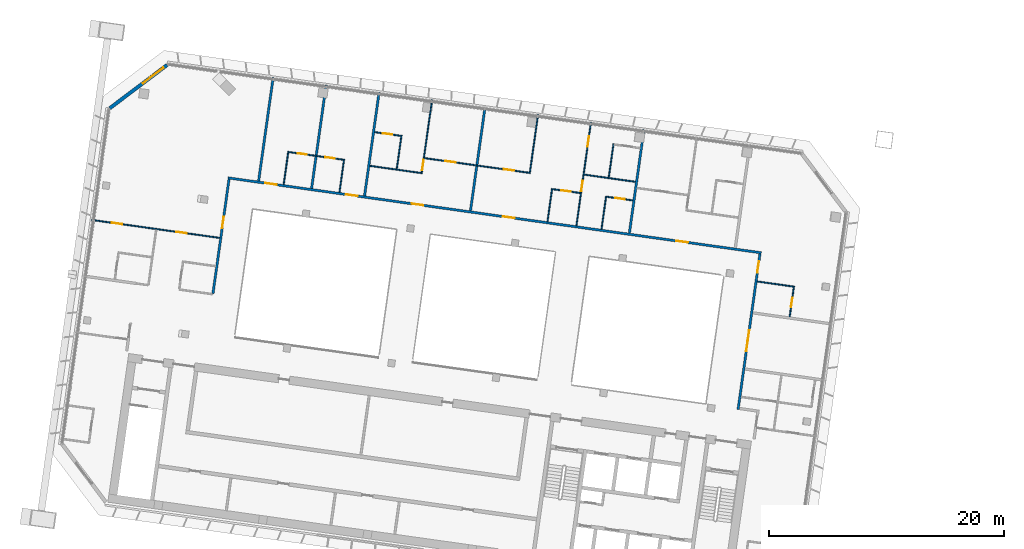
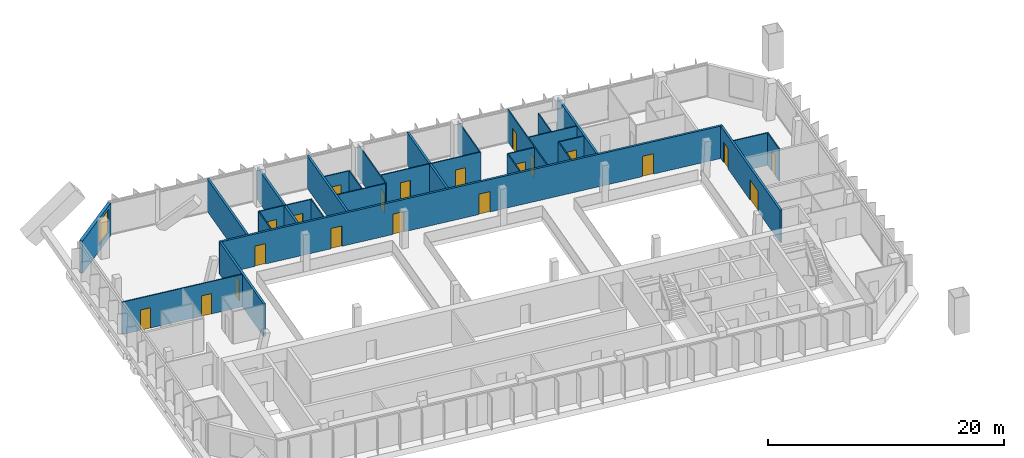
# One storey, part 19 of 32: 28 walls, 21 doors, 1 window, 22 openings.
"""IFC4 building model written with IfcOpenShell, lengths in metres."""

import ifcopenshell
import ifcopenshell.guid

model = None  # the IFC model being written
_history = None  # IfcOwnerHistory: only IFC2X3 demands one
_inside = {}  # id of a spatial element -> (the spatial element, [elements in it])
_under = {}  # id of a project, library or spatial element -> (it, [spatial elements below it])
_declared = {}  # id of a project -> (the project, [libraries it declares])
_typed = {}  # id of a type object -> (the type object, [elements of that type])
_made_of = {}  # id of a material, layer set ... -> (it, [elements and type objects made of it])


def new_model(schema):
    """Start an empty IFC model of exactly this schema.

    Asked for "IFC4X3", IfcOpenShell would pick the latest addendum, in which some entities
    have other attributes; the version numbers below select the first issue.
    IFC2X3 requires an IfcOwnerHistory on every rooted entity: one is made here for all.
    """
    global model, _history
    if schema == "IFC4X3":
        model = ifcopenshell.file(schema_version=(4, 3, 0, 0))
    else:
        model = ifcopenshell.file(schema=schema)
    _inside.clear()
    _under.clear()
    _declared.clear()
    _typed.clear()
    _made_of.clear()
    _history = None
    if model.schema == "IFC2X3":
        org = make("IfcOrganization", Name="unknown")
        user = make(
            "IfcPersonAndOrganization",
            ThePerson=make("IfcPerson", FamilyName="unknown"),
            TheOrganization=org,
        )
        app = make(
            "IfcApplication",
            ApplicationDeveloper=org,
            Version="unknown",
            ApplicationFullName="unknown",
            ApplicationIdentifier="unknown",
        )
        _history = make(
            "IfcOwnerHistory",
            OwningUser=user,
            OwningApplication=app,
            ChangeAction="ADDED",
            CreationDate=0,
        )
    return model


def make(cls, **values):
    """One entity of the class cls with the attributes given. An attribute that is None is left unset."""
    return model.create_entity(
        cls, **{name: value for name, value in values.items() if value is not None}
    )


def rooted(cls, **values):
    """An entity with a GlobalId (a new one), such as an element, a storey or a relation."""
    return make(cls, GlobalId=ifcopenshell.guid.new(), OwnerHistory=_history, **values)


def si_unit(unit_type, name, prefix=None):
    """IfcSIUnit, for example si_unit("LENGTHUNIT", "METRE", prefix="MILLI")."""
    return make("IfcSIUnit", UnitType=unit_type, Prefix=prefix, Name=name)


def assignment(units):
    """IfcUnitAssignment: the units of a project."""
    return None if units is None else make("IfcUnitAssignment", Units=units)


def point(xyz):
    """IfcCartesianPoint."""
    return None if xyz is None else make("IfcCartesianPoint", Coordinates=xyz)


def direction(xyz):
    """IfcDirection."""
    return None if xyz is None else make("IfcDirection", DirectionRatios=xyz)


def frame(location, z_axis=None, x_axis=None):
    """IfcAxis2Placement3D, a coordinate frame: its origin and axes. An axis left out is left unset."""
    return make(
        "IfcAxis2Placement3D",
        Location=point(location),
        Axis=direction(z_axis),
        RefDirection=direction(x_axis),
    )


def frame_2d(location, x_axis=None):
    """IfcAxis2Placement2D, a coordinate frame in the plane: its origin and x axis."""
    return make(
        "IfcAxis2Placement2D", Location=point(location), RefDirection=direction(x_axis)
    )


def origin():
    """The frame at (0, 0, 0) with its axes left unset."""
    return frame((0.0, 0.0, 0.0))


def place(relative_to, where):
    """IfcLocalPlacement: puts the frame where relative to a parent placement (None: the world)."""
    return make(
        "IfcLocalPlacement", PlacementRelTo=relative_to, RelativePlacement=where
    )


def context(
    kind, dimensions, precision=None, world=None, true_north=None, identifier=None
):
    """IfcGeometricRepresentationContext, for example the 3D "Model" context."""
    return make(
        "IfcGeometricRepresentationContext",
        ContextIdentifier=identifier,
        ContextType=kind,
        CoordinateSpaceDimension=dimensions,
        Precision=precision,
        WorldCoordinateSystem=world,
        TrueNorth=true_north,
    )


def subcontext(parent, identifier, kind, view, scale=None):
    """IfcGeometricRepresentationSubContext, for example "Body" below "Model"."""
    return make(
        "IfcGeometricRepresentationSubContext",
        ContextIdentifier=identifier,
        ContextType=kind,
        ParentContext=parent,
        TargetScale=scale,
        TargetView=view,
    )


def project(units=None, contexts=None):
    """IfcProject with its units and contexts."""
    return rooted(
        "IfcProject",
        Name="project",
        RepresentationContexts=contexts,
        UnitsInContext=assignment(units),
    )


def spatial(cls, under=None, at=None, **own):
    """A site, building, storey or space (cls), placed at a placement, below another one or the project."""
    s = rooted(cls, ObjectPlacement=at, **own)
    if under is not None:
        _under.setdefault(under.id(), (under, []))[1].append(s)
    return s


def profile(cls, at=None, kind="AREA", **sizes):
    """A parametric profile (cls). Its sizes go by their IFC names, for example OverallWidth=200.0."""
    return make(cls, ProfileType=kind, Position=at, **sizes)


def rectangle(**sizes):
    """IfcRectangleProfileDef."""
    return profile("IfcRectangleProfileDef", **sizes)


def extrude(swept, where, along, depth):
    """IfcExtrudedAreaSolid: the profile swept, set in the frame where, extruded along a direction by depth."""
    return make(
        "IfcExtrudedAreaSolid",
        SweptArea=swept,
        Position=where,
        ExtrudedDirection=direction(along),
        Depth=depth,
    )


def shape(context_of_items, identifier, shape_type, items):
    """IfcShapeRepresentation: the items that make up one representation, for example the "Body"."""
    return make(
        "IfcShapeRepresentation",
        ContextOfItems=context_of_items,
        RepresentationIdentifier=identifier,
        RepresentationType=shape_type,
        Items=items,
    )


def material(Name=None, Category=None):
    """IfcMaterial."""
    return make("IfcMaterial", Name=Name, Category=Category)


def layer(
    of_material, thickness, ventilated=None, Name=None, Category=None, Priority=None
):
    """IfcMaterialLayer: one layer of a wall or slab, of a material (None: an air gap)."""
    return make(
        "IfcMaterialLayer",
        Material=of_material,
        LayerThickness=thickness,
        IsVentilated=ventilated,
        Name=Name,
        Category=Category,
        Priority=Priority,
    )


def layer_set(layers, Name=None):
    """IfcMaterialLayerSet."""
    return make("IfcMaterialLayerSet", MaterialLayers=layers, LayerSetName=Name)


def made_of(thing, what):
    """Note that an element or type object is made of a material, layer set ...; save() writes the relation."""
    if what is not None:
        _made_of.setdefault(what.id(), (what, []))[1].append(thing)
    return thing


def type_object(cls, material=None, **own):
    """A type object (cls), such as IfcWallType, which elements share."""
    return made_of(rooted(cls, **own), material)


def element(
    cls,
    number,
    at=None,
    inside=None,
    cuts=None,
    type_object=None,
    material=None,
    context=None,
    identifier="Body",
    shape_type=None,
    held_by="IfcProductDefinitionShape",
    body=None,
    shapes=None,
    **own,
):
    """One element of the class cls, such as IfcWall. Its Tag is "e" and its number.

    at: its placement. inside: the storey or other place that contains it. cuts: it is an
    opening in that element (IfcRelVoidsElement). A single representation is given by context,
    identifier, shape_type and body (its items); several are given by shapes. held_by: the class
    of the entity that holds the representations. save() writes the other relations.
    """
    e = rooted(cls, Tag="e%d" % number, ObjectPlacement=at, **own)
    if body is not None:
        shapes = [shape(context, identifier, shape_type, body)]
    if shapes is not None:
        e.Representation = make(held_by, Representations=shapes)
    if inside is not None:
        _inside.setdefault(inside.id(), (inside, []))[1].append(e)
    if cuts is not None:
        rooted(
            "IfcRelVoidsElement", RelatingBuildingElement=cuts, RelatedOpeningElement=e
        )
    if type_object is not None:
        _typed.setdefault(type_object.id(), (type_object, []))[1].append(e)
    return made_of(e, material)


def fill(opening, filler):
    """IfcRelFillsElement: the door or window that sits in an opening."""
    return rooted(
        "IfcRelFillsElement",
        RelatingOpeningElement=opening,
        RelatedBuildingElement=filler,
    )


def aggregate(whole, parts):
    """IfcRelAggregates: a whole, such as a stair, and the parts it consists of."""
    return rooted("IfcRelAggregates", RelatingObject=whole, RelatedObjects=parts)


def save(model, path):
    """Write the relations noted so far, then the file.

    IfcRelAggregates (storeys below a building ...), IfcRelContainedInSpatialStructure (elements
    in a storey), IfcRelDefinesByType, IfcRelAssociatesMaterial and IfcRelDeclares: one each for
    every whole, place, type object, material and project.
    """
    for whole, parts in _under.values():
        aggregate(whole, parts)
    for where, things in _inside.values():
        rooted(
            "IfcRelContainedInSpatialStructure",
            RelatedElements=things,
            RelatingStructure=where,
        )
    for kind, things in _typed.values():
        rooted("IfcRelDefinesByType", RelatedObjects=things, RelatingType=kind)
    for what, things in _made_of.values():
        rooted("IfcRelAssociatesMaterial", RelatedObjects=things, RelatingMaterial=what)
    for by, libraries in _declared.values():
        rooted("IfcRelDeclares", RelatingContext=by, RelatedDefinitions=libraries)
    model.write(path)


model = new_model("IFC4")

# Units and contexts
model_context = context("Model", 3, precision=1e-05, world=origin(), true_north=direction((0.0, 1.0)))
body_context = subcontext(model_context, "Body", "Model", "MODEL_VIEW")
ifc_project = project(units=[si_unit("LENGTHUNIT", "METRE"), si_unit("AREAUNIT", "SQUARE_METRE"), si_unit("VOLUMEUNIT", "CUBIC_METRE"), si_unit("PLANEANGLEUNIT", "RADIAN"), si_unit("MASSUNIT", "GRAM", prefix="KILO")], contexts=[model_context])

# Site, building, storey
site_placement = place(None, origin())
site = spatial("IfcSite", under=ifc_project, at=site_placement, CompositionType="ELEMENT")
building_placement = place(site_placement, origin())
building = spatial("IfcBuilding", under=site, at=building_placement, Name="Mirante Cascada Hotel Towers", CompositionType="ELEMENT")
storey_placement = place(building_placement, frame((0.0, 0.0, 176.4)))
storey = spatial("IfcBuildingStorey", under=building, at=storey_placement, Name="L41", CompositionType="ELEMENT", Elevation=176.4)

# Wall, openings, doors
ifc_material_1 = material(Name="Fire-rated plasterboard on metal studs")
ifc_layer_1 = layer(ifc_material_1, 0.2)
ifc_layer_set_1 = layer_set([ifc_layer_1], Name="Compartment wall 200 EI 120")
wall_type_1 = type_object("IfcWallType", Name="Compartment wall 200 EI 120", PredefinedType="PARTITIONING", material=ifc_layer_set_1)
wall_1_placement = place(storey_placement, frame((-80.1022, 15.1397, 0.0), z_axis=(0.0, 0.0, 1.0), x_axis=(0.9902679, -0.1391743, 0.0)))
wall_1 = element("IfcWall", 1, at=wall_1_placement, inside=storey, type_object=wall_type_1, Name="Wall 1-L41-17", PredefinedType="PARTITIONING", context=body_context, shape_type="SweptSolid", body=[
    extrude(rectangle(XDim=45.9, YDim=0.2, at=frame_2d((22.95, 0.0))), origin(), (0.0, 0.0, 1.0), 3.35),
])
opening_1_placement = place(wall_1_placement, frame((38.5918, 0.0, 0.0)))
opening_1 = element("IfcOpeningElement", 2, at=opening_1_placement, cuts=wall_1, Name="Opening D1-L41-08", PredefinedType="OPENING", context=body_context, shape_type="SweptSolid", body=[
    extrude(rectangle(XDim=1.0, YDim=2.1, at=frame_2d((0.5, 1.05))), frame((0.0, 0.1, 0.0), z_axis=(0.0, -1.0, 0.0), x_axis=(1.0, 0.0, 0.0)), (0.0, 0.0, 1.0), 0.2),
])
opening_2_placement = place(wall_1_placement, frame((23.6687, 0.0, 0.0)))
opening_2 = element("IfcOpeningElement", 3, at=opening_2_placement, cuts=wall_1, Name="Opening D1-L41-09", PredefinedType="OPENING", context=body_context, shape_type="SweptSolid", body=[
    extrude(rectangle(XDim=1.0, YDim=2.1, at=frame_2d((0.5, 1.05))), frame((0.0, 0.1, 0.0), z_axis=(0.0, -1.0, 0.0), x_axis=(1.0, 0.0, 0.0)), (0.0, 0.0, 1.0), 0.2),
])
opening_3_placement = place(wall_1_placement, frame((15.7959, 0.0, 0.0)))
opening_3 = element("IfcOpeningElement", 4, at=opening_3_placement, cuts=wall_1, Name="Opening D1-L41-10", PredefinedType="OPENING", context=body_context, shape_type="SweptSolid", body=[
    extrude(rectangle(XDim=1.0, YDim=2.1, at=frame_2d((0.5, 1.05))), frame((0.0, 0.1, 0.0), z_axis=(0.0, -1.0, 0.0), x_axis=(1.0, 0.0, 0.0)), (0.0, 0.0, 1.0), 0.2),
])
opening_4_placement = place(wall_1_placement, frame((10.1571, 0.0, 0.0)))
opening_4 = element("IfcOpeningElement", 5, at=opening_4_placement, cuts=wall_1, Name="Opening D1-L41-11", PredefinedType="OPENING", context=body_context, shape_type="SweptSolid", body=[
    extrude(rectangle(XDim=1.0, YDim=2.1, at=frame_2d((0.5, 1.05))), frame((0.0, 0.1, 0.0), z_axis=(0.0, -1.0, 0.0), x_axis=(1.0, 0.0, 0.0)), (0.0, 0.0, 1.0), 0.2),
])
opening_5_placement = place(wall_1_placement, frame((3.198, 0.0, 0.0)))
opening_5 = element("IfcOpeningElement", 6, at=opening_5_placement, cuts=wall_1, Name="Opening D1-L41-12", PredefinedType="OPENING", context=body_context, shape_type="SweptSolid", body=[
    extrude(rectangle(XDim=1.0, YDim=2.1, at=frame_2d((0.5, 1.05))), frame((0.0, 0.1, 0.0), z_axis=(0.0, -1.0, 0.0), x_axis=(1.0, 0.0, 0.0)), (0.0, 0.0, 1.0), 0.2),
])
ifc_material_2 = material(Name="Fire-rated timber door leaf", Category="wood")
door_type_1 = type_object("IfcDoorType", Name="Entrance door DG1 1000x2100 EI 60", OperationType="SINGLE_SWING_LEFT", PredefinedType="DOOR", material=ifc_material_2)
door_1_placement = place(opening_1_placement, origin())
door_1 = element("IfcDoor", 7, at=door_1_placement, inside=storey, type_object=door_type_1, Name="Door D1-L41-08", OperationType="SINGLE_SWING_LEFT", OverallHeight=2.1, OverallWidth=1.0, PredefinedType="DOOR", context=body_context, shape_type="SweptSolid", body=[
    extrude(rectangle(XDim=1.0, YDim=2.1, at=frame_2d((0.5, 1.05))), frame((0.0, 0.025, 0.0), z_axis=(0.0, -1.0, 0.0), x_axis=(1.0, 0.0, 0.0)), (0.0, 0.0, 1.0), 0.05),
])
fill(opening_1, door_1)
door_2_placement = place(opening_2_placement, origin())
door_2 = element("IfcDoor", 8, at=door_2_placement, inside=storey, type_object=door_type_1, Name="Door D1-L41-09", OperationType="SINGLE_SWING_LEFT", OverallHeight=2.1, OverallWidth=1.0, PredefinedType="DOOR", context=body_context, shape_type="SweptSolid", body=[
    extrude(rectangle(XDim=1.0, YDim=2.1, at=frame_2d((0.5, 1.05))), frame((0.0, 0.025, 0.0), z_axis=(0.0, -1.0, 0.0), x_axis=(1.0, 0.0, 0.0)), (0.0, 0.0, 1.0), 0.05),
])
fill(opening_2, door_2)
door_3_placement = place(opening_3_placement, origin())
door_3 = element("IfcDoor", 9, at=door_3_placement, inside=storey, type_object=door_type_1, Name="Door D1-L41-10", OperationType="SINGLE_SWING_LEFT", OverallHeight=2.1, OverallWidth=1.0, PredefinedType="DOOR", context=body_context, shape_type="SweptSolid", body=[
    extrude(rectangle(XDim=1.0, YDim=2.1, at=frame_2d((0.5, 1.05))), frame((0.0, 0.025, 0.0), z_axis=(0.0, -1.0, 0.0), x_axis=(1.0, 0.0, 0.0)), (0.0, 0.0, 1.0), 0.05),
])
fill(opening_3, door_3)
door_4_placement = place(opening_4_placement, origin())
door_4 = element("IfcDoor", 10, at=door_4_placement, inside=storey, type_object=door_type_1, Name="Door D1-L41-11", OperationType="SINGLE_SWING_LEFT", OverallHeight=2.1, OverallWidth=1.0, PredefinedType="DOOR", context=body_context, shape_type="SweptSolid", body=[
    extrude(rectangle(XDim=1.0, YDim=2.1, at=frame_2d((0.5, 1.05))), frame((0.0, 0.025, 0.0), z_axis=(0.0, -1.0, 0.0), x_axis=(1.0, 0.0, 0.0)), (0.0, 0.0, 1.0), 0.05),
])
fill(opening_4, door_4)
door_5_placement = place(opening_5_placement, origin())
door_5 = element("IfcDoor", 11, at=door_5_placement, inside=storey, type_object=door_type_1, Name="Door D1-L41-12", OperationType="SINGLE_SWING_LEFT", OverallHeight=2.1, OverallWidth=1.0, PredefinedType="DOOR", context=body_context, shape_type="SweptSolid", body=[
    extrude(rectangle(XDim=1.0, YDim=2.1, at=frame_2d((0.5, 1.05))), frame((0.0, 0.025, 0.0), z_axis=(0.0, -1.0, 0.0), x_axis=(1.0, 0.0, 0.0)), (0.0, 0.0, 1.0), 0.05),
])
fill(opening_5, door_5)

wall_2_placement = place(storey_placement, frame((-36.6268, -4.6031, 0.0), z_axis=(0.0, 0.0, 1.0), x_axis=(0.1391789, 0.9902673, 0.0)))
wall_2 = element("IfcWall", 12, at=wall_2_placement, inside=storey, type_object=wall_type_1, Name="Wall 1-L41-34", PredefinedType="PARTITIONING", context=body_context, shape_type="SweptSolid", body=[
    extrude(rectangle(XDim=13.4, YDim=0.2, at=frame_2d((6.7, 0.0))), origin(), (0.0, 0.0, 1.0), 3.35),
])
opening_6_placement = place(wall_2_placement, frame((5.0167, 0.0, 0.0)))
opening_6 = element("IfcOpeningElement", 13, at=opening_6_placement, cuts=wall_2, Name="Opening D1-L41-26", PredefinedType="OPENING", context=body_context, shape_type="SweptSolid", body=[
    extrude(rectangle(XDim=1.8, YDim=2.1, at=frame_2d((0.9, 1.05))), frame((0.0, 0.1, 0.0), z_axis=(0.0, -1.0, 0.0), x_axis=(1.0, 0.0, 0.0)), (0.0, 0.0, 1.0), 0.2),
])
opening_7_placement = place(wall_2_placement, frame((11.7667, 0.0, 0.0)))
opening_7 = element("IfcOpeningElement", 14, at=opening_7_placement, cuts=wall_2, Name="Opening D1-L41-27", PredefinedType="OPENING", context=body_context, shape_type="SweptSolid", body=[
    extrude(rectangle(XDim=1.0, YDim=2.1, at=frame_2d((0.5, 1.05))), frame((0.0, 0.1, 0.0), z_axis=(0.0, -1.0, 0.0), x_axis=(1.0, 0.0, 0.0)), (0.0, 0.0, 1.0), 0.2),
])
door_6_placement = place(opening_7_placement, frame((1.0, 0.0, 0.0), z_axis=(0.0, 0.0, 1.0), x_axis=(-1.0, 0.0, 0.0)))
door_6 = element("IfcDoor", 15, at=door_6_placement, inside=storey, type_object=door_type_1, Name="Door D1-L41-27", OperationType="SINGLE_SWING_RIGHT", OverallHeight=2.1, OverallWidth=1.0, PredefinedType="DOOR", context=body_context, shape_type="SweptSolid", body=[
    extrude(rectangle(XDim=1.0, YDim=2.1, at=frame_2d((0.5, 1.05))), frame((0.0, 0.025, 0.0), z_axis=(0.0, -1.0, 0.0), x_axis=(1.0, 0.0, 0.0)), (0.0, 0.0, 1.0), 0.05),
])
fill(opening_7, door_6)
ifc_material_3 = material(Name="Fire-rated timber door leaf", Category="wood")
door_type_2 = type_object("IfcDoorType", Name="Suite double door DG2 1800x2100 EI 60", OperationType="DOUBLE_DOOR_SINGLE_SWING", PredefinedType="DOOR", material=ifc_material_3)
door_7_placement = place(opening_6_placement, origin())
door_7 = element("IfcDoor", 16, at=door_7_placement, inside=storey, type_object=door_type_2, Name="Door D1-L41-26", OperationType="DOUBLE_DOOR_SINGLE_SWING", OverallHeight=2.1, OverallWidth=1.8, PredefinedType="DOOR", context=body_context, shape_type="SweptSolid", body=[
    extrude(rectangle(XDim=0.895, YDim=2.1, at=frame_2d((0.4475, 1.05))), frame((0.0, 0.025, 0.0), z_axis=(0.0, -1.0, 0.0), x_axis=(1.0, 0.0, 0.0)), (0.0, 0.0, 1.0), 0.05),
    extrude(rectangle(XDim=0.895, YDim=2.1, at=frame_2d((1.3525, 1.05))), frame((0.0, 0.025, 0.0), z_axis=(0.0, -1.0, 0.0), x_axis=(1.0, 0.0, 0.0)), (0.0, 0.0, 1.0), 0.05),
])
fill(opening_6, door_7)

# Walls
for number, where, z_axis, x_axis, name in (
    (17, (-45.8918, 10.4327, 0.0), (0.0, 0.0, 1.0), (0.1391794, 0.9902672, 0.0), "Wall 1-L41-38"),
    (18, (-59.4362, 12.3362, 0.0), (0.0, 0.0, 1.0), (0.1391794, 0.9902672, 0.0), "Wall 1-L41-44"),
    (19, (-67.2272, 22.4187, 0.0), (0.0, 0.0, 1.0), (-0.1391684, -0.9902687, 0.0), "Wall 1-L41-47"),
    (20, (-71.742, 23.0532, 0.0), (0.0, 0.0, 1.0), (-0.1391684, -0.9902687, 0.0), "Wall 1-L41-49"),
    (21, (-76.2567, 23.6877, 0.0), (0.0, 0.0, 1.0), (-0.1391794, -0.9902672, 0.0), "Wall 1-L41-51"),
):
    element("IfcWall", number, at=place(storey_placement, frame(where, z_axis=z_axis, x_axis=x_axis)), inside=storey, type_object=wall_type_1, Name=name, PredefinedType="PARTITIONING", context=body_context, shape_type="SweptSolid", body=[
        extrude(rectangle(XDim=8.9, YDim=0.2, at=frame_2d((4.45, 0.0))), origin(), (0.0, 0.0, 1.0), 3.35),
    ])

# Wall, opening, door
wall_3_placement = place(storey_placement, frame((-81.388, 5.2726, 0.0), z_axis=(0.0, 0.0, 1.0), x_axis=(0.1391781, 0.9902674, 0.0)))
wall_3 = element("IfcWall", 22, at=wall_3_placement, inside=storey, type_object=wall_type_1, Name="Wall 1-L41-52", PredefinedType="PARTITIONING", context=body_context, shape_type="SweptSolid", body=[
    extrude(rectangle(XDim=9.85, YDim=0.2, at=frame_2d((4.925, 0.0))), origin(), (0.0, 0.0, 1.0), 3.35),
])
opening_8_placement = place(wall_3_placement, frame((5.6333, 0.0, 0.0)))
opening_8 = element("IfcOpeningElement", 23, at=opening_8_placement, cuts=wall_3, Name="Opening D1-L41-32", PredefinedType="OPENING", context=body_context, shape_type="SweptSolid", body=[
    extrude(rectangle(XDim=1.0, YDim=2.1, at=frame_2d((0.5, 1.05))), frame((0.0, 0.1, 0.0), z_axis=(0.0, -1.0, 0.0), x_axis=(1.0, 0.0, 0.0)), (0.0, 0.0, 1.0), 0.2),
])
door_8_placement = place(opening_8_placement, origin())
door_8 = element("IfcDoor", 24, at=door_8_placement, inside=storey, type_object=door_type_1, Name="Door D1-L41-32", OperationType="SINGLE_SWING_LEFT", OverallHeight=2.1, OverallWidth=1.0, PredefinedType="DOOR", context=body_context, shape_type="SweptSolid", body=[
    extrude(rectangle(XDim=1.0, YDim=2.1, at=frame_2d((0.5, 1.05))), frame((0.0, 0.025, 0.0), z_axis=(0.0, -1.0, 0.0), x_axis=(1.0, 0.0, 0.0)), (0.0, 0.0, 1.0), 0.05),
])
fill(opening_8, door_8)

# Wall, openings, doors
ifc_material_4 = material(Name="Plasterboard on metal studs")
ifc_layer_2 = layer(ifc_material_4, 0.1)
ifc_layer_set_2 = layer_set([ifc_layer_2], Name="Partition 100")
wall_type_2 = type_object("IfcWallType", Name="Partition 100", PredefinedType="PARTITIONING", material=ifc_layer_set_2)
wall_4_placement = place(storey_placement, frame((-91.7142, 11.5542, 0.0), z_axis=(0.0, 0.0, 1.0), x_axis=(0.990268, -0.1391733, 0.0)))
wall_4 = element("IfcWall", 25, at=wall_4_placement, inside=storey, type_object=wall_type_2, Name="Wall 1-L41-15", PredefinedType="PARTITIONING", context=body_context, shape_type="SweptSolid", body=[
    extrude(rectangle(XDim=11.0, YDim=0.1, at=frame_2d((5.5, 0.0))), origin(), (0.0, 0.0, 1.0), 3.35),
])
opening_9_placement = place(wall_4_placement, frame((7.275, 0.0, 0.0)))
opening_9 = element("IfcOpeningElement", 26, at=opening_9_placement, cuts=wall_4, Name="Opening D1-L41-06", PredefinedType="OPENING", context=body_context, shape_type="SweptSolid", body=[
    extrude(rectangle(XDim=0.9, YDim=2.1, at=frame_2d((0.45, 1.05))), frame((0.0, 0.05, 0.0), z_axis=(0.0, -1.0, 0.0), x_axis=(1.0, 0.0, 0.0)), (0.0, 0.0, 1.0), 0.1),
])
opening_10_placement = place(wall_4_placement, frame((1.725, 0.0, 0.0)))
opening_10 = element("IfcOpeningElement", 27, at=opening_10_placement, cuts=wall_4, Name="Opening D1-L41-07", PredefinedType="OPENING", context=body_context, shape_type="SweptSolid", body=[
    extrude(rectangle(XDim=0.9, YDim=2.1, at=frame_2d((0.45, 1.05))), frame((0.0, 0.05, 0.0), z_axis=(0.0, -1.0, 0.0), x_axis=(1.0, 0.0, 0.0)), (0.0, 0.0, 1.0), 0.1),
])
ifc_material_5 = material(Name="Timber door leaf", Category="wood")
door_type_3 = type_object("IfcDoorType", Name="Room door DG3 900x2100", OperationType="SINGLE_SWING_LEFT", PredefinedType="DOOR", material=ifc_material_5)
door_9_placement = place(opening_9_placement, origin())
door_9 = element("IfcDoor", 28, at=door_9_placement, inside=storey, type_object=door_type_3, Name="Door D1-L41-06", OperationType="SINGLE_SWING_LEFT", OverallHeight=2.1, OverallWidth=0.9, PredefinedType="DOOR", context=body_context, shape_type="SweptSolid", body=[
    extrude(rectangle(XDim=0.9, YDim=2.1, at=frame_2d((0.45, 1.05))), frame((0.0, 0.025, 0.0), z_axis=(0.0, -1.0, 0.0), x_axis=(1.0, 0.0, 0.0)), (0.0, 0.0, 1.0), 0.05),
])
fill(opening_9, door_9)
door_10_placement = place(opening_10_placement, origin())
door_10 = element("IfcDoor", 29, at=door_10_placement, inside=storey, type_object=door_type_3, Name="Door D1-L41-07", OperationType="SINGLE_SWING_LEFT", OverallHeight=2.1, OverallWidth=0.9, PredefinedType="DOOR", context=body_context, shape_type="SweptSolid", body=[
    extrude(rectangle(XDim=0.9, YDim=2.1, at=frame_2d((0.45, 1.05))), frame((0.0, 0.025, 0.0), z_axis=(0.0, -1.0, 0.0), x_axis=(1.0, 0.0, 0.0)), (0.0, 0.0, 1.0), 0.05),
])
fill(opening_10, door_10)

# Walls
wall_5_placement = place(storey_placement, frame((-31.8183, 5.8629, 0.0), z_axis=(0.0, 0.0, 1.0), x_axis=(-0.9902708, 0.139154, 0.0)))
element("IfcWall", 30, at=wall_5_placement, inside=storey, type_object=wall_type_2, Name="Wall 1-L41-16", PredefinedType="PARTITIONING", context=body_context, shape_type="SweptSolid", body=[
    extrude(rectangle(XDim=3.2051, YDim=0.1, at=frame_2d((1.6026, 0.0))), origin(), (0.0, 0.0, 1.0), 3.35),
])
wall_6_placement = place(storey_placement, frame((-68.0049, 16.1661, 0.0), z_axis=(0.0, 0.0, 1.0), x_axis=(0.9902663, -0.1391857, 0.0)))
element("IfcWall", 31, at=wall_6_placement, inside=storey, type_object=wall_type_2, Name="Wall 1-L41-19", PredefinedType="PARTITIONING", context=body_context, shape_type="SweptSolid", body=[
    extrude(rectangle(XDim=4.4092, YDim=0.1, at=frame_2d((2.2046, 0.0))), origin(), (0.0, 0.0, 1.0), 3.35),
])

# Wall, opening, door
wall_7_placement = place(storey_placement, frame((-45.6011, 13.2194, 0.0), z_axis=(0.0, 0.0, 1.0), x_axis=(-0.9902705, 0.1391561, 0.0)))
wall_7 = element("IfcWall", 32, at=wall_7_placement, inside=storey, type_object=wall_type_2, Name="Wall 1-L41-20", PredefinedType="PARTITIONING", context=body_context, shape_type="SweptSolid", body=[
    extrude(rectangle(XDim=2.25, YDim=0.1, at=frame_2d((1.125, 0.0))), origin(), (0.0, 0.0, 1.0), 3.35),
])
opening_11_placement = place(wall_7_placement, frame((0.7, 0.0, 0.0)))
opening_11 = element("IfcOpeningElement", 33, at=opening_11_placement, cuts=wall_7, Name="Opening D1-L41-13", PredefinedType="OPENING", context=body_context, shape_type="SweptSolid", body=[
    extrude(rectangle(XDim=0.8, YDim=2.1, at=frame_2d((0.4, 1.05))), frame((0.0, 0.05, 0.0), z_axis=(0.0, -1.0, 0.0), x_axis=(1.0, 0.0, 0.0)), (0.0, 0.0, 1.0), 0.1),
])
ifc_material_6 = material(Name="Timber door leaf", Category="wood")
door_type_4 = type_object("IfcDoorType", Name="Bathroom door DG4 800x2100", OperationType="SINGLE_SWING_LEFT", PredefinedType="DOOR", material=ifc_material_6)
door_11_placement = place(opening_11_placement, origin())
door_11 = element("IfcDoor", 34, at=door_11_placement, inside=storey, type_object=door_type_4, Name="Door D1-L41-13", OperationType="SINGLE_SWING_LEFT", OverallHeight=2.1, OverallWidth=0.8, PredefinedType="DOOR", context=body_context, shape_type="SweptSolid", body=[
    extrude(rectangle(XDim=0.8, YDim=2.1, at=frame_2d((0.4, 1.05))), frame((0.0, 0.025, 0.0), z_axis=(0.0, -1.0, 0.0), x_axis=(1.0, 0.0, 0.0)), (0.0, 0.0, 1.0), 0.05),
])
fill(opening_11, door_11)

wall_8_placement = place(storey_placement, frame((-52.4342, 14.1797, 0.0), z_axis=(0.0, 0.0, 1.0), x_axis=(0.9902673, -0.1391786, 0.0)))
wall_8 = element("IfcWall", 35, at=wall_8_placement, inside=storey, type_object=wall_type_2, Name="Wall 1-L41-21", PredefinedType="PARTITIONING", context=body_context, shape_type="SweptSolid", body=[
    extrude(rectangle(XDim=2.3912, YDim=0.1, at=frame_2d((1.1956, 0.0))), origin(), (0.0, 0.0, 1.0), 3.35),
])
opening_12_placement = place(wall_8_placement, frame((0.75, 0.0, 0.0)))
opening_12 = element("IfcOpeningElement", 36, at=opening_12_placement, cuts=wall_8, Name="Opening D1-L41-14", PredefinedType="OPENING", context=body_context, shape_type="SweptSolid", body=[
    extrude(rectangle(XDim=0.8, YDim=2.1, at=frame_2d((0.4, 1.05))), frame((0.0, 0.05, 0.0), z_axis=(0.0, -1.0, 0.0), x_axis=(1.0, 0.0, 0.0)), (0.0, 0.0, 1.0), 0.1),
])
door_12_placement = place(opening_12_placement, origin())
door_12 = element("IfcDoor", 37, at=door_12_placement, inside=storey, type_object=door_type_4, Name="Door D1-L41-14", OperationType="SINGLE_SWING_LEFT", OverallHeight=2.1, OverallWidth=0.8, PredefinedType="DOOR", context=body_context, shape_type="SweptSolid", body=[
    extrude(rectangle(XDim=0.8, YDim=2.1, at=frame_2d((0.4, 1.05))), frame((0.0, 0.025, 0.0), z_axis=(0.0, -1.0, 0.0), x_axis=(1.0, 0.0, 0.0)), (0.0, 0.0, 1.0), 0.05),
])
fill(opening_12, door_12)

# Wall, openings, doors
wall_9_placement = place(storey_placement, frame((-70.1648, 16.6716, 0.0), z_axis=(0.0, 0.0, 1.0), x_axis=(-0.9902694, 0.1391638, 0.0)))
wall_9 = element("IfcWall", 38, at=wall_9_placement, inside=storey, type_object=wall_type_2, Name="Wall 1-L41-22", PredefinedType="PARTITIONING", context=body_context, shape_type="SweptSolid", body=[
    extrude(rectangle(XDim=4.9, YDim=0.1, at=frame_2d((2.45, 0.0))), origin(), (0.0, 0.0, 1.0), 3.35),
])
opening_13_placement = place(wall_9_placement, frame((0.85, 0.0, 0.0)))
opening_13 = element("IfcOpeningElement", 39, at=opening_13_placement, cuts=wall_9, Name="Opening D1-L41-15", PredefinedType="OPENING", context=body_context, shape_type="SweptSolid", body=[
    extrude(rectangle(XDim=0.8, YDim=2.1, at=frame_2d((0.4, 1.05))), frame((0.0, 0.05, 0.0), z_axis=(0.0, -1.0, 0.0), x_axis=(1.0, 0.0, 0.0)), (0.0, 0.0, 1.0), 0.1),
])
opening_14_placement = place(wall_9_placement, frame((3.25, 0.0, 0.0)))
opening_14 = element("IfcOpeningElement", 40, at=opening_14_placement, cuts=wall_9, Name="Opening D1-L41-16", PredefinedType="OPENING", context=body_context, shape_type="SweptSolid", body=[
    extrude(rectangle(XDim=0.8, YDim=2.1, at=frame_2d((0.4, 1.05))), frame((0.0, 0.05, 0.0), z_axis=(0.0, -1.0, 0.0), x_axis=(1.0, 0.0, 0.0)), (0.0, 0.0, 1.0), 0.1),
])
door_13_placement = place(opening_13_placement, frame((0.8, 0.0, 0.0), z_axis=(0.0, 0.0, 1.0), x_axis=(-1.0, 0.0, 0.0)))
door_13 = element("IfcDoor", 41, at=door_13_placement, inside=storey, type_object=door_type_4, Name="Door D1-L41-15", OperationType="SINGLE_SWING_RIGHT", OverallHeight=2.1, OverallWidth=0.8, PredefinedType="DOOR", context=body_context, shape_type="SweptSolid", body=[
    extrude(rectangle(XDim=0.8, YDim=2.1, at=frame_2d((0.4, 1.05))), frame((0.0, 0.025, 0.0), z_axis=(0.0, -1.0, 0.0), x_axis=(1.0, 0.0, 0.0)), (0.0, 0.0, 1.0), 0.05),
])
fill(opening_13, door_13)
door_14_placement = place(opening_14_placement, frame((0.8, 0.0, 0.0), z_axis=(0.0, 0.0, 1.0), x_axis=(-1.0, 0.0, 0.0)))
door_14 = element("IfcDoor", 42, at=door_14_placement, inside=storey, type_object=door_type_4, Name="Door D1-L41-16", OperationType="SINGLE_SWING_RIGHT", OverallHeight=2.1, OverallWidth=0.8, PredefinedType="DOOR", context=body_context, shape_type="SweptSolid", body=[
    extrude(rectangle(XDim=0.8, YDim=2.1, at=frame_2d((0.4, 1.05))), frame((0.0, 0.025, 0.0), z_axis=(0.0, -1.0, 0.0), x_axis=(1.0, 0.0, 0.0)), (0.0, 0.0, 1.0), 0.05),
])
fill(opening_14, door_14)

wall_10_placement = place(storey_placement, frame((-54.329, 15.5568, 0.0), z_axis=(0.0, 0.0, 1.0), x_axis=(-0.9902687, 0.1391686, 0.0)))
wall_10 = element("IfcWall", 43, at=wall_10_placement, inside=storey, type_object=wall_type_2, Name="Wall 1-L41-24", PredefinedType="PARTITIONING", context=body_context, shape_type="SweptSolid", body=[
    extrude(rectangle(XDim=9.1184, YDim=0.1, at=frame_2d((4.5592, 0.0))), origin(), (0.0, 0.0, 1.0), 3.35),
])
opening_15_placement = place(wall_10_placement, frame((1.4092, 0.0, 0.0)))
opening_15 = element("IfcOpeningElement", 44, at=opening_15_placement, cuts=wall_10, Name="Opening D1-L41-18", PredefinedType="OPENING", context=body_context, shape_type="SweptSolid", body=[
    extrude(rectangle(XDim=0.9, YDim=2.1, at=frame_2d((0.45, 1.05))), frame((0.0, 0.05, 0.0), z_axis=(0.0, -1.0, 0.0), x_axis=(1.0, 0.0, 0.0)), (0.0, 0.0, 1.0), 0.1),
])
opening_16_placement = place(wall_10_placement, frame((6.4388, 0.0, 0.0)))
opening_16 = element("IfcOpeningElement", 45, at=opening_16_placement, cuts=wall_10, Name="Opening D1-L41-19", PredefinedType="OPENING", context=body_context, shape_type="SweptSolid", body=[
    extrude(rectangle(XDim=0.9, YDim=2.1, at=frame_2d((0.45, 1.05))), frame((0.0, 0.05, 0.0), z_axis=(0.0, -1.0, 0.0), x_axis=(1.0, 0.0, 0.0)), (0.0, 0.0, 1.0), 0.1),
])
door_15_placement = place(opening_15_placement, frame((0.9, 0.0, 0.0), z_axis=(0.0, 0.0, 1.0), x_axis=(-1.0, 0.0, 0.0)))
door_15 = element("IfcDoor", 46, at=door_15_placement, inside=storey, type_object=door_type_3, Name="Door D1-L41-18", OperationType="SINGLE_SWING_RIGHT", OverallHeight=2.1, OverallWidth=0.9, PredefinedType="DOOR", context=body_context, shape_type="SweptSolid", body=[
    extrude(rectangle(XDim=0.9, YDim=2.1, at=frame_2d((0.45, 1.05))), frame((0.0, 0.025, 0.0), z_axis=(0.0, -1.0, 0.0), x_axis=(1.0, 0.0, 0.0)), (0.0, 0.0, 1.0), 0.05),
])
fill(opening_15, door_15)
door_16_placement = place(opening_16_placement, origin())
door_16 = element("IfcDoor", 47, at=door_16_placement, inside=storey, type_object=door_type_3, Name="Door D1-L41-19", OperationType="SINGLE_SWING_LEFT", OverallHeight=2.1, OverallWidth=0.9, PredefinedType="DOOR", context=body_context, shape_type="SweptSolid", body=[
    extrude(rectangle(XDim=0.9, YDim=2.1, at=frame_2d((0.45, 1.05))), frame((0.0, 0.025, 0.0), z_axis=(0.0, -1.0, 0.0), x_axis=(1.0, 0.0, 0.0)), (0.0, 0.0, 1.0), 0.05),
])
fill(opening_16, door_16)

# Wall
wall_11_placement = place(storey_placement, frame((-49.7446, 15.4174, 0.0), z_axis=(0.0, 0.0, 1.0), x_axis=(0.990269, -0.1391666, 0.0)))
element("IfcWall", 48, at=wall_11_placement, inside=storey, type_object=wall_type_2, Name="Wall 1-L41-25", PredefinedType="PARTITIONING", context=body_context, shape_type="SweptSolid", body=[
    extrude(rectangle(XDim=4.4091, YDim=0.1, at=frame_2d((2.2045, 0.0))), origin(), (0.0, 0.0, 1.0), 3.35),
])

# Wall, opening, door
wall_12_placement = place(storey_placement, frame((-67.6013, 19.0378, 0.0), z_axis=(0.0, 0.0, 1.0), x_axis=(0.9902705, -0.1391561, 0.0)))
wall_12 = element("IfcWall", 49, at=wall_12_placement, inside=storey, type_object=wall_type_2, Name="Wall 1-L41-27", PredefinedType="PARTITIONING", context=body_context, shape_type="SweptSolid", body=[
    extrude(rectangle(XDim=2.25, YDim=0.1, at=frame_2d((1.125, 0.0))), origin(), (0.0, 0.0, 1.0), 3.35),
])
opening_17_placement = place(wall_12_placement, frame((0.7, 0.0, 0.0)))
opening_17 = element("IfcOpeningElement", 50, at=opening_17_placement, cuts=wall_12, Name="Opening D1-L41-21", PredefinedType="OPENING", context=body_context, shape_type="SweptSolid", body=[
    extrude(rectangle(XDim=0.8, YDim=2.1, at=frame_2d((0.4, 1.05))), frame((0.0, 0.05, 0.0), z_axis=(0.0, -1.0, 0.0), x_axis=(1.0, 0.0, 0.0)), (0.0, 0.0, 1.0), 0.1),
])
door_17_placement = place(opening_17_placement, origin())
door_17 = element("IfcDoor", 51, at=door_17_placement, inside=storey, type_object=door_type_4, Name="Door D1-L41-21", OperationType="SINGLE_SWING_LEFT", OverallHeight=2.1, OverallWidth=0.8, PredefinedType="DOOR", context=body_context, shape_type="SweptSolid", body=[
    extrude(rectangle(XDim=0.8, YDim=2.1, at=frame_2d((0.4, 1.05))), frame((0.0, 0.025, 0.0), z_axis=(0.0, -1.0, 0.0), x_axis=(1.0, 0.0, 0.0)), (0.0, 0.0, 1.0), 0.05),
])
fill(opening_17, door_17)

wall_13_placement = place(storey_placement, frame((-31.8748, 5.8203, 0.0), z_axis=(0.0, 0.0, 1.0), x_axis=(-0.1391755, -0.9902677, 0.0)))
wall_13 = element("IfcWall", 52, at=wall_13_placement, inside=storey, type_object=wall_type_2, Name="Wall 1-L41-31", PredefinedType="PARTITIONING", context=body_context, shape_type="SweptSolid", body=[
    extrude(rectangle(XDim=2.55, YDim=0.1, at=frame_2d((1.275, 0.0))), origin(), (0.0, 0.0, 1.0), 3.35),
])
opening_18_placement = place(wall_13_placement, frame((0.9, 0.0, 0.0)))
opening_18 = element("IfcOpeningElement", 53, at=opening_18_placement, cuts=wall_13, Name="Opening D1-L41-24", PredefinedType="OPENING", context=body_context, shape_type="SweptSolid", body=[
    extrude(rectangle(XDim=0.8, YDim=2.1, at=frame_2d((0.4, 1.05))), frame((0.0, 0.05, 0.0), z_axis=(0.0, -1.0, 0.0), x_axis=(1.0, 0.0, 0.0)), (0.0, 0.0, 1.0), 0.1),
])
door_18_placement = place(opening_18_placement, frame((0.8, 0.0, 0.0), z_axis=(0.0, 0.0, 1.0), x_axis=(-1.0, 0.0, 0.0)))
door_18 = element("IfcDoor", 54, at=door_18_placement, inside=storey, type_object=door_type_4, Name="Door D1-L41-24", OperationType="SINGLE_SWING_RIGHT", OverallHeight=2.1, OverallWidth=0.8, PredefinedType="DOOR", context=body_context, shape_type="SweptSolid", body=[
    extrude(rectangle(XDim=0.8, YDim=2.1, at=frame_2d((0.4, 1.05))), frame((0.0, 0.025, 0.0), z_axis=(0.0, -1.0, 0.0), x_axis=(1.0, 0.0, 0.0)), (0.0, 0.0, 1.0), 0.05),
])
fill(opening_18, door_18)

# Walls
wall_14_placement = place(storey_placement, frame((-47.8718, 13.589, 0.0), z_axis=(0.0, 0.0, 1.0), x_axis=(-0.1391564, -0.9902704, 0.0)))
element("IfcWall", 55, at=wall_14_placement, inside=storey, type_object=wall_type_2, Name="Wall 1-L41-39", PredefinedType="PARTITIONING", context=body_context, shape_type="SweptSolid", body=[
    extrude(rectangle(XDim=2.85, YDim=0.1, at=frame_2d((1.425, 0.0))), origin(), (0.0, 0.0, 1.0), 3.35),
])
wall_15_placement = place(storey_placement, frame((-47.6491, 15.1734, 0.0), z_axis=(0.0, 0.0, 1.0), x_axis=(0.1391714, 0.9902683, 0.0)))
element("IfcWall", 56, at=wall_15_placement, inside=storey, type_object=wall_type_2, Name="Wall 1-L41-40", PredefinedType="PARTITIONING", context=body_context, shape_type="SweptSolid", body=[
    extrude(rectangle(XDim=2.9, YDim=0.1, at=frame_2d((1.45, 0.0))), origin(), (0.0, 0.0, 1.0), 3.35),
])

# Wall, openings, doors
wall_16_placement = place(storey_placement, frame((-49.1679, 19.8806, 0.0), z_axis=(0.0, 0.0, 1.0), x_axis=(-0.1391684, -0.9902687, 0.0)))
wall_16 = element("IfcWall", 57, at=wall_16_placement, inside=storey, type_object=wall_type_2, Name="Wall 1-L41-41", PredefinedType="PARTITIONING", context=body_context, shape_type="SweptSolid", body=[
    extrude(rectangle(XDim=8.9, YDim=0.1, at=frame_2d((4.45, 0.0))), origin(), (0.0, 0.0, 1.0), 3.35),
])
opening_19_placement = place(wall_16_placement, frame((5.05, 0.0, 0.0)))
opening_19 = element("IfcOpeningElement", 58, at=opening_19_placement, cuts=wall_16, Name="Opening D1-L41-29", PredefinedType="OPENING", context=body_context, shape_type="SweptSolid", body=[
    extrude(rectangle(XDim=0.9, YDim=2.1, at=frame_2d((0.45, 1.05))), frame((0.0, 0.05, 0.0), z_axis=(0.0, -1.0, 0.0), x_axis=(1.0, 0.0, 0.0)), (0.0, 0.0, 1.0), 0.1),
])
opening_20_placement = place(wall_16_placement, frame((1.2, 0.0, 0.0)))
opening_20 = element("IfcOpeningElement", 59, at=opening_20_placement, cuts=wall_16, Name="Opening D1-L41-30", PredefinedType="OPENING", context=body_context, shape_type="SweptSolid", body=[
    extrude(rectangle(XDim=0.9, YDim=2.1, at=frame_2d((0.45, 1.05))), frame((0.0, 0.05, 0.0), z_axis=(0.0, -1.0, 0.0), x_axis=(1.0, 0.0, 0.0)), (0.0, 0.0, 1.0), 0.1),
])
door_19_placement = place(opening_19_placement, frame((0.9, 0.0, 0.0), z_axis=(0.0, 0.0, 1.0), x_axis=(-1.0, 0.0, 0.0)))
door_19 = element("IfcDoor", 60, at=door_19_placement, inside=storey, type_object=door_type_3, Name="Door D1-L41-29", OperationType="SINGLE_SWING_RIGHT", OverallHeight=2.1, OverallWidth=0.9, PredefinedType="DOOR", context=body_context, shape_type="SweptSolid", body=[
    extrude(rectangle(XDim=0.9, YDim=2.1, at=frame_2d((0.45, 1.05))), frame((0.0, 0.025, 0.0), z_axis=(0.0, -1.0, 0.0), x_axis=(1.0, 0.0, 0.0)), (0.0, 0.0, 1.0), 0.05),
])
fill(opening_19, door_19)
door_20_placement = place(opening_20_placement, frame((0.9, 0.0, 0.0), z_axis=(0.0, 0.0, 1.0), x_axis=(-1.0, 0.0, 0.0)))
door_20 = element("IfcDoor", 61, at=door_20_placement, inside=storey, type_object=door_type_3, Name="Door D1-L41-30", OperationType="SINGLE_SWING_RIGHT", OverallHeight=2.1, OverallWidth=0.9, PredefinedType="DOOR", context=body_context, shape_type="SweptSolid", body=[
    extrude(rectangle(XDim=0.9, YDim=2.1, at=frame_2d((0.45, 1.05))), frame((0.0, 0.025, 0.0), z_axis=(0.0, -1.0, 0.0), x_axis=(1.0, 0.0, 0.0)), (0.0, 0.0, 1.0), 0.05),
])
fill(opening_20, door_20)

# Walls
wall_17_placement = place(storey_placement, frame((-52.8734, 11.4139, 0.0), z_axis=(0.0, 0.0, 1.0), x_axis=(0.1391564, 0.9902704, 0.0)))
element("IfcWall", 62, at=wall_17_placement, inside=storey, type_object=wall_type_2, Name="Wall 1-L41-42", PredefinedType="PARTITIONING", context=body_context, shape_type="SweptSolid", body=[
    extrude(rectangle(XDim=2.85, YDim=0.1, at=frame_2d((1.425, 0.0))), origin(), (0.0, 0.0, 1.0), 3.35),
])
wall_18_placement = place(storey_placement, frame((-53.6827, 20.5151, 0.0), z_axis=(0.0, 0.0, 1.0), x_axis=(-0.1391725, -0.9902682, 0.0)))
element("IfcWall", 63, at=wall_18_placement, inside=storey, type_object=wall_type_2, Name="Wall 1-L41-43", PredefinedType="PARTITIONING", context=body_context, shape_type="SweptSolid", body=[
    extrude(rectangle(XDim=4.95, YDim=0.1, at=frame_2d((2.475, 0.0))), origin(), (0.0, 0.0, 1.0), 3.35),
])

# Wall, opening, door
wall_19_placement = place(storey_placement, frame((-62.7123, 21.7841, 0.0), z_axis=(0.0, 0.0, 1.0), x_axis=(-0.139181, -0.990267, 0.0)))
wall_19 = element("IfcWall", 64, at=wall_19_placement, inside=storey, type_object=wall_type_2, Name="Wall 1-L41-45", PredefinedType="PARTITIONING", context=body_context, shape_type="SweptSolid", body=[
    extrude(rectangle(XDim=6.35, YDim=0.1, at=frame_2d((3.175, 0.0))), origin(), (0.0, 0.0, 1.0), 3.35),
])
opening_21_placement = place(wall_19_placement, frame((5.15, 0.0, 0.0)))
opening_21 = element("IfcOpeningElement", 65, at=opening_21_placement, cuts=wall_19, Name="Opening D1-L41-31", PredefinedType="OPENING", context=body_context, shape_type="SweptSolid", body=[
    extrude(rectangle(XDim=0.9, YDim=2.1, at=frame_2d((0.45, 1.05))), frame((0.0, 0.05, 0.0), z_axis=(0.0, -1.0, 0.0), x_axis=(1.0, 0.0, 0.0)), (0.0, 0.0, 1.0), 0.1),
])
door_21_placement = place(opening_21_placement, origin())
door_21 = element("IfcDoor", 66, at=door_21_placement, inside=storey, type_object=door_type_3, Name="Door D1-L41-31", OperationType="SINGLE_SWING_LEFT", OverallHeight=2.1, OverallWidth=0.9, PredefinedType="DOOR", context=body_context, shape_type="SweptSolid", body=[
    extrude(rectangle(XDim=0.9, YDim=2.1, at=frame_2d((0.45, 1.05))), frame((0.0, 0.025, 0.0), z_axis=(0.0, -1.0, 0.0), x_axis=(1.0, 0.0, 0.0)), (0.0, 0.0, 1.0), 0.05),
])
fill(opening_21, door_21)

# Walls
wall_20_placement = place(storey_placement, frame((-65.7204, 15.8955, 0.0), z_axis=(0.0, 0.0, 1.0), x_axis=(0.1391761, 0.9902676, 0.0)))
element("IfcWall", 67, at=wall_20_placement, inside=storey, type_object=wall_type_2, Name="Wall 1-L41-46", PredefinedType="PARTITIONING", context=body_context, shape_type="SweptSolid", body=[
    extrude(rectangle(XDim=2.8999, YDim=0.1, at=frame_2d((1.45, 0.0))), origin(), (0.0, 0.0, 1.0), 3.35),
])
for number, where, z_axis, x_axis, name in (
    (68, (-70.604, 13.9058, 0.0), (0.0, 0.0, 1.0), (0.1391657, 0.9902691, 0.0), "Wall 1-L41-48"),
    (69, (-75.3573, 14.5738, 0.0), (0.0, 0.0, 1.0), (0.1391657, 0.9902691, 0.0), "Wall 1-L41-50"),
):
    element("IfcWall", number, at=place(storey_placement, frame(where, z_axis=z_axis, x_axis=x_axis)), inside=storey, type_object=wall_type_2, Name=name, PredefinedType="PARTITIONING", context=body_context, shape_type="SweptSolid", body=[
        extrude(rectangle(XDim=2.75, YDim=0.1, at=frame_2d((1.375, 0.0))), origin(), (0.0, 0.0, 1.0), 3.35),
    ])

# Wall, opening, window
ifc_material_7 = material(Name="Precast concrete C40/50", Category="concrete")
ifc_layer_3 = layer(ifc_material_7, 0.3)
ifc_layer_set_3 = layer_set([ifc_layer_3], Name="Precast concrete C40/50 cladding wall 300")
wall_type_3 = type_object("IfcWallType", Name="Precast concrete C40/50 cladding wall 300", PredefinedType="STANDARD", material=ifc_layer_set_3)
wall_21_placement = place(storey_placement, frame((-90.1795, 21.0817, 0.0), z_axis=(0.0, 0.0, 1.0), x_axis=(0.7986362, 0.6018141, 0.0)))
wall_21 = element("IfcWall", 70, at=wall_21_placement, inside=storey, type_object=wall_type_3, Name="Corner cladding wall T1 L41 outer front", PredefinedType="STANDARD", context=body_context, shape_type="SweptSolid", body=[
    extrude(rectangle(XDim=6.1157, YDim=0.3, at=frame_2d((3.0578, 0.0))), origin(), (0.0, 0.0, 1.0), 3.35),
])
opening_22_placement = place(wall_21_placement, frame((3.5243, 0.0, 0.6)))
opening_22 = element("IfcOpeningElement", 71, at=opening_22_placement, cuts=wall_21, Name="Opening W1-41-02", PredefinedType="OPENING", context=body_context, shape_type="SweptSolid", body=[
    extrude(rectangle(XDim=2.2, YDim=2.4, at=frame_2d((1.1, 1.2))), frame((0.0, 0.15, 0.0), z_axis=(0.0, -1.0, 0.0), x_axis=(1.0, 0.0, 0.0)), (0.0, 0.0, 1.0), 0.3),
])
ifc_material_8 = material(Name="Aluminium frame with clear double glazing", Category="aluminium")
window_type = type_object("IfcWindowType", Name="Corner suite window 2200x2400", PartitioningType="DOUBLE_PANEL_VERTICAL", PredefinedType="WINDOW", material=ifc_material_8)
window_placement = place(opening_22_placement, origin())
window = element("IfcWindow", 72, at=window_placement, inside=storey, type_object=window_type, Name="Window W1-41-02", OverallHeight=2.4, OverallWidth=2.2, PartitioningType="SINGLE_PANEL", PredefinedType="WINDOW", context=body_context, shape_type="SweptSolid", body=[
    extrude(rectangle(XDim=2.2, YDim=2.4, at=frame_2d((1.1, 1.2))), frame((0.0, 0.03, 0.0), z_axis=(0.0, -1.0, 0.0), x_axis=(1.0, 0.0, 0.0)), (0.0, 0.0, 1.0), 0.06),
])
fill(opening_22, window)

save(model, "model.ifc")
